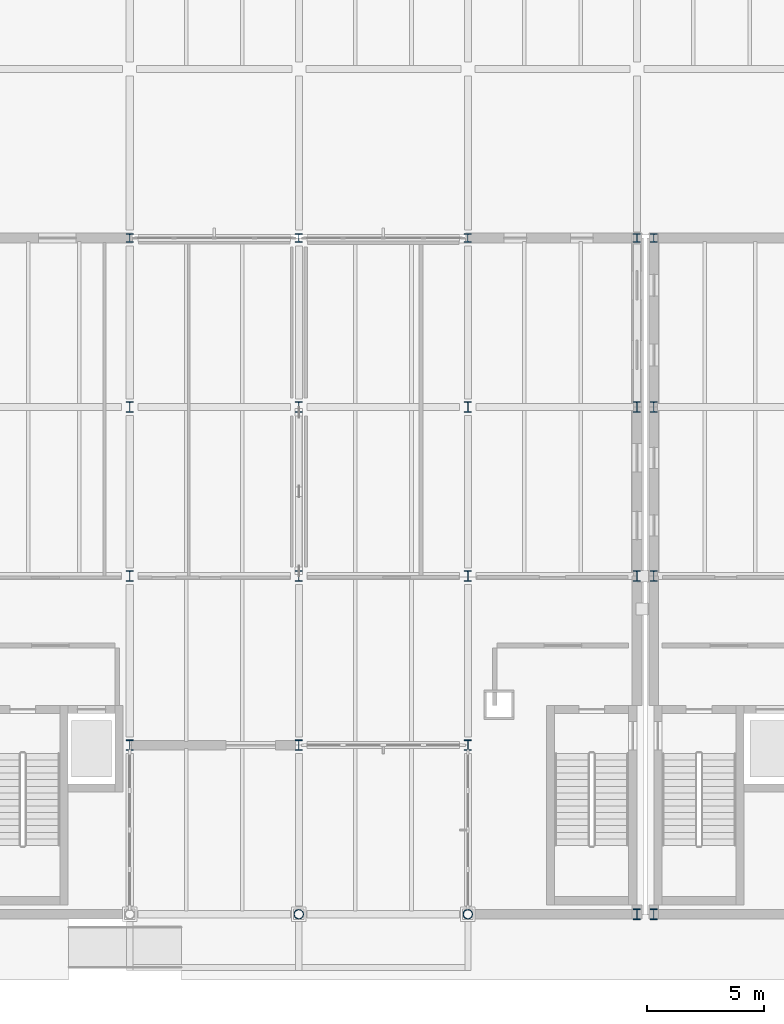
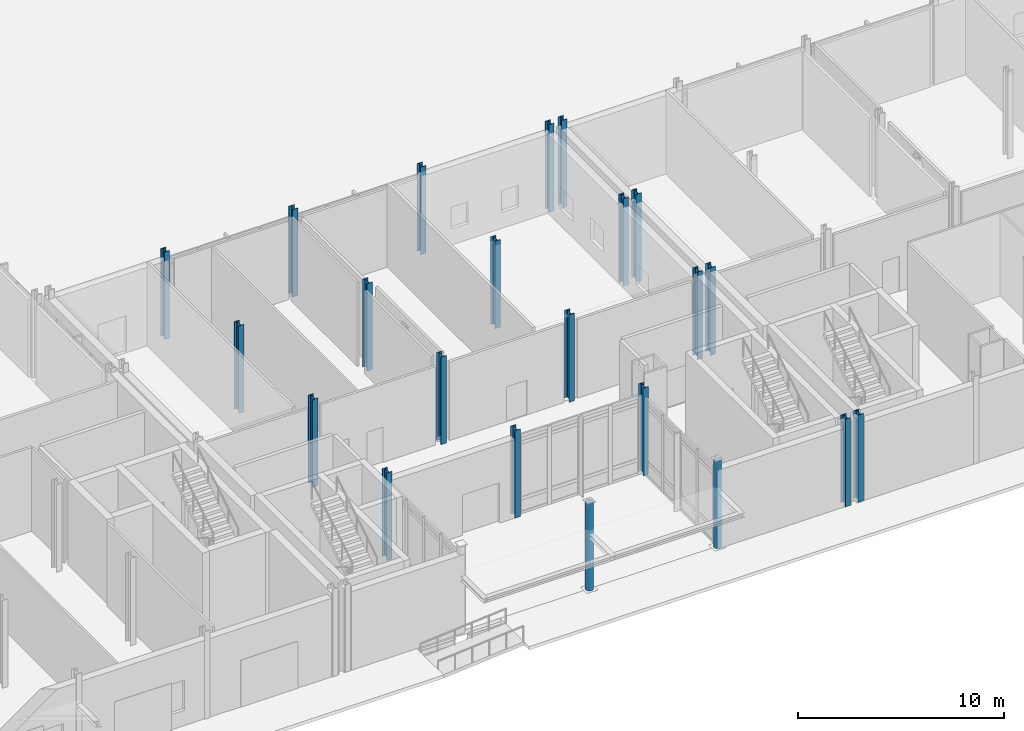
# One storey, part 2 of 89: 22 columns.
"""IFC4 building model written with IfcOpenShell, lengths in metres."""

from ifc_helpers import new_model, si_unit, direction, frame, origin, origin_2d, place, context, subcontext, project, spatial, hollow_circle, i_section, extrude, material, material_profile, profile_set, type_object, element, save


model = new_model("IFC4")

# Units and contexts
model_context = context("Model", 3, precision=1e-05, world=origin(), true_north=direction((0.0, 1.0)))
body_context = subcontext(model_context, "Body", "Model", "MODEL_VIEW")
ifc_project = project(units=[si_unit("LENGTHUNIT", "METRE"), si_unit("AREAUNIT", "SQUARE_METRE"), si_unit("VOLUMEUNIT", "CUBIC_METRE"), si_unit("PLANEANGLEUNIT", "RADIAN"), si_unit("MASSUNIT", "GRAM", prefix="KILO")], contexts=[model_context])

# Site, building, storey
site_placement = place(None, origin())
site = spatial("IfcSite", under=ifc_project, at=site_placement, CompositionType="ELEMENT")
building_placement = place(site_placement, origin())
building = spatial("IfcBuilding", under=site, at=building_placement, Name="Zarrinpeak Specialist Clinic", CompositionType="ELEMENT")
storey_placement = place(building_placement, origin())
storey = spatial("IfcBuildingStorey", under=building, at=storey_placement, Name="L00", CompositionType="ELEMENT", Elevation=0.0)

# Columns
ifc_material = material(Name="Steel S355", Category="steel")
ifc_material_profile_1 = material_profile(ifc_material, hollow_circle(Radius=0.203125, WallThickness=0.01611328125, at=origin_2d()), Name="CHS 406.4x16.0")
ifc_profile_set_1 = profile_set([ifc_material_profile_1], Name="Steel S355")
column_type_1 = type_object("IfcColumnType", Name="COL-CHS406", PredefinedType="COLUMN", material=ifc_profile_set_1)
for number, where, z_axis, x_axis, name in (
    (1, (43.199951171875, 0.0, 0.0), (0.0, 0.0, 1.0), (1.0, 0.0, 0.0), "L00 Structural Column COL-L00-079"),
    (2, (50.39990234375, 0.0, 0.0), (0.0, 0.0, 1.0), (1.0, 0.0, 0.0), "L00 Structural Column COL-L00-090"),
):
    element("IfcColumn", number, at=place(storey_placement, frame(where, z_axis=z_axis, x_axis=x_axis)), inside=storey, type_object=column_type_1, Name=name, PredefinedType="COLUMN", context=body_context, shape_type="SweptSolid", body=[
        extrude(hollow_circle(Radius=0.203125, WallThickness=0.01611328125, at=origin_2d()), origin(), (0.0, 0.0, 1.0), 5.199951171875),
    ])
ifc_material_profile_2 = material_profile(ifc_material, i_section(OverallWidth=0.300048828125, OverallDepth=0.360107421875, WebThickness=0.012451171875, FlangeThickness=0.0224609375, FilletRadius=0.027099609375, at=origin_2d()), Name="HEB 360")
ifc_profile_set_2 = profile_set([ifc_material_profile_2], Name="Steel S355")
column_type_2 = type_object("IfcColumnType", Name="COL-HEB360", PredefinedType="COLUMN", material=ifc_profile_set_2)
for number, where, z_axis, x_axis, name in (
    (3, (36.0, 28.800048828125, 0.0), (0.0, 0.0, 1.0), (1.0, 0.0, 0.0), "L00 Structural Column COL-L00-073"),
    (4, (43.199951171875, 28.800048828125, 0.0), (0.0, 0.0, 1.0), (1.0, 0.0, 0.0), "L00 Structural Column COL-L00-083"),
    (5, (50.39990234375, 28.800048828125, 0.0), (0.0, 0.0, 1.0), (1.0, 0.0, 0.0), "L00 Structural Column COL-L00-094"),
    (6, (57.60009765625, 28.800048828125, 0.0), (0.0, 0.0, 1.0), (1.0, 0.0, 0.0), "L00 Structural Column COL-L00-104"),
    (7, (58.320068359375, 28.800048828125, 0.0), (0.0, 0.0, 1.0), (1.0, 0.0, 0.0), "L00 Structural Column COL-L00-114"),
):
    element("IfcColumn", number, at=place(storey_placement, frame(where, z_axis=z_axis, x_axis=x_axis)), inside=storey, type_object=column_type_2, Name=name, PredefinedType="COLUMN", context=body_context, shape_type="SweptSolid", body=[
        extrude(i_section(OverallWidth=0.300048828125, OverallDepth=0.360107421875, WebThickness=0.012451171875, FlangeThickness=0.0224609375, FilletRadius=0.027099609375, at=origin_2d()), origin(), (0.0, 0.0, 1.0), 5.199951171875),
    ])
ifc_material_profile_3 = material_profile(ifc_material, i_section(OverallWidth=0.300048828125, OverallDepth=0.449951171875, WebThickness=0.013916015625, FlangeThickness=0.02587890625, FilletRadius=0.027099609375, at=origin_2d()), Name="HEB 450")
ifc_profile_set_3 = profile_set([ifc_material_profile_3], Name="Steel S355")
column_type_3 = type_object("IfcColumnType", Name="COL-HEB450", PredefinedType="COLUMN", material=ifc_profile_set_3)
for number, where, z_axis, x_axis, name in (
    (8, (36.0, 7.199951171875, 0.0), (0.0, 0.0, 1.0), (1.0, 0.0, 0.0), "L00 Structural Column COL-L00-070"),
    (9, (36.0, 14.39990234375, 0.0), (0.0, 0.0, 1.0), (1.0, 0.0, 0.0), "L00 Structural Column COL-L00-071"),
    (10, (36.0, 21.60009765625, 0.0), (0.0, 0.0, 1.0), (1.0, 0.0, 0.0), "L00 Structural Column COL-L00-072"),
    (11, (43.199951171875, 7.199951171875, 0.0), (0.0, 0.0, 1.0), (1.0, 0.0, 0.0), "L00 Structural Column COL-L00-080"),
    (12, (43.199951171875, 14.39990234375, 0.0), (0.0, 0.0, 1.0), (1.0, 0.0, 0.0), "L00 Structural Column COL-L00-081"),
    (13, (43.199951171875, 21.60009765625, 0.0), (0.0, 0.0, 1.0), (1.0, 0.0, 0.0), "L00 Structural Column COL-L00-082"),
    (14, (50.39990234375, 7.199951171875, 0.0), (0.0, 0.0, 1.0), (1.0, 0.0, 0.0), "L00 Structural Column COL-L00-091"),
    (15, (50.39990234375, 14.39990234375, 0.0), (0.0, 0.0, 1.0), (1.0, 0.0, 0.0), "L00 Structural Column COL-L00-092"),
    (16, (50.39990234375, 21.60009765625, 0.0), (0.0, 0.0, 1.0), (1.0, 0.0, 0.0), "L00 Structural Column COL-L00-093"),
    (17, (57.60009765625, 0.0, 0.0), (0.0, 0.0, 1.0), (1.0, 0.0, 0.0), "L00 Structural Column COL-L00-101"),
    (18, (57.60009765625, 14.39990234375, 0.0), (0.0, 0.0, 1.0), (1.0, 0.0, 0.0), "L00 Structural Column COL-L00-102"),
    (19, (57.60009765625, 21.60009765625, 0.0), (0.0, 0.0, 1.0), (1.0, 0.0, 0.0), "L00 Structural Column COL-L00-103"),
    (20, (58.320068359375, 0.0, 0.0), (0.0, 0.0, 1.0), (1.0, 0.0, 0.0), "L00 Structural Column COL-L00-111"),
    (21, (58.320068359375, 14.39990234375, 0.0), (0.0, 0.0, 1.0), (1.0, 0.0, 0.0), "L00 Structural Column COL-L00-112"),
    (22, (58.320068359375, 21.60009765625, 0.0), (0.0, 0.0, 1.0), (1.0, 0.0, 0.0), "L00 Structural Column COL-L00-113"),
):
    element("IfcColumn", number, at=place(storey_placement, frame(where, z_axis=z_axis, x_axis=x_axis)), inside=storey, type_object=column_type_3, Name=name, PredefinedType="COLUMN", context=body_context, shape_type="SweptSolid", body=[
        extrude(i_section(OverallWidth=0.300048828125, OverallDepth=0.449951171875, WebThickness=0.013916015625, FlangeThickness=0.02587890625, FilletRadius=0.027099609375, at=origin_2d()), origin(), (0.0, 0.0, 1.0), 5.199951171875),
    ])

save(model, "model.ifc")
